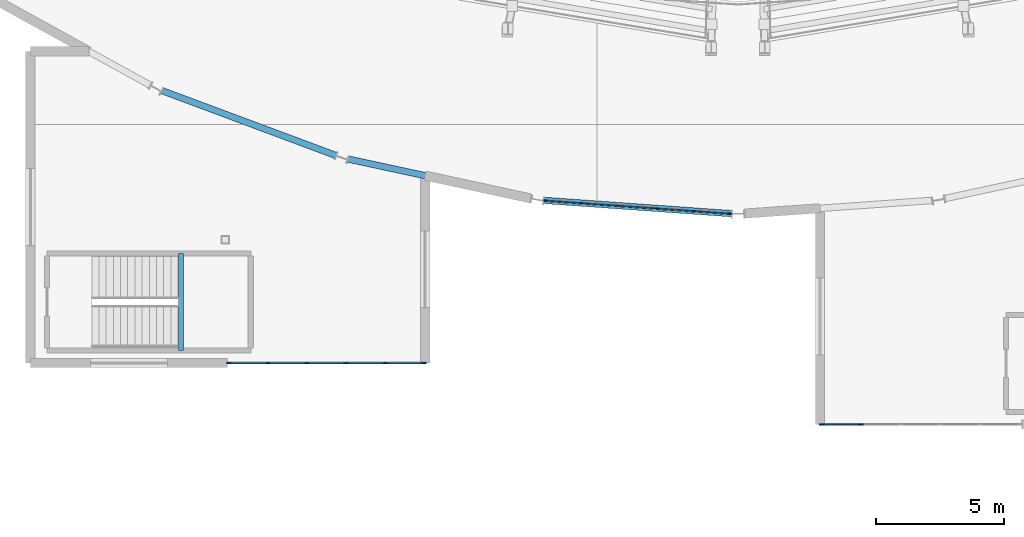
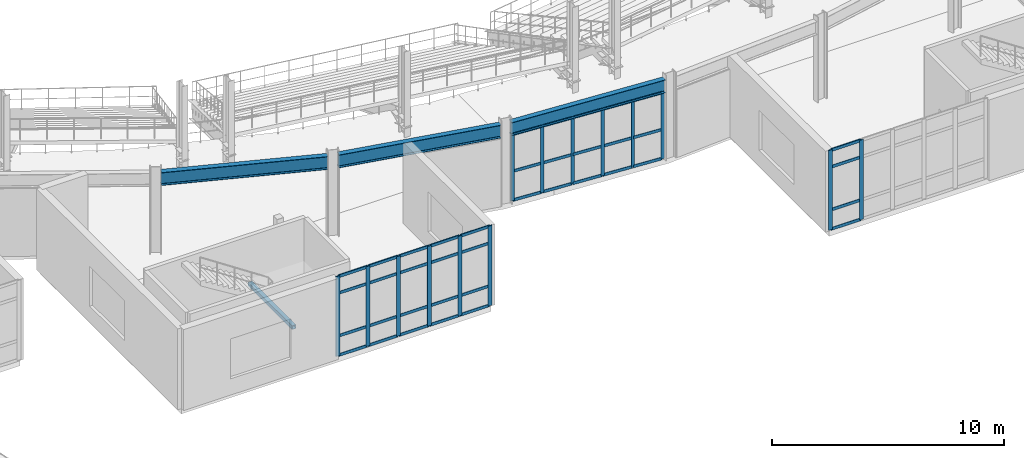
# One storey, part 23 of 81: 53 members, 4 beams, 3 elements without a shape of their own.
"""IFC4 building model written with IfcOpenShell, lengths in metres."""

from ifc_helpers import new_model, si_unit, direction, frame, origin, origin_2d, place, context, subcontext, project, spatial, rectangle, hollow_rectangle, i_section, extrude, material, material_profile, profile_set, type_object, element, aggregate, save


model = new_model("IFC4")

# Units and contexts
model_context = context("Model", 3, precision=1e-05, world=origin(), true_north=direction((0.0, 1.0)))
body_context = subcontext(model_context, "Body", "Model", "MODEL_VIEW")
ifc_project = project(units=[si_unit("LENGTHUNIT", "METRE"), si_unit("AREAUNIT", "SQUARE_METRE"), si_unit("VOLUMEUNIT", "CUBIC_METRE"), si_unit("PLANEANGLEUNIT", "RADIAN"), si_unit("MASSUNIT", "GRAM", prefix="KILO")], contexts=[model_context])

# Site, building, storey
site_placement = place(None, origin())
site = spatial("IfcSite", under=ifc_project, at=site_placement, CompositionType="ELEMENT")
building_placement = place(site_placement, origin())
building = spatial("IfcBuilding", under=site, at=building_placement, Name="Glasvene Arena", CompositionType="ELEMENT")
storey_placement = place(building_placement, frame((0.0, 0.0, 15.0)))
storey = spatial("IfcBuildingStorey", under=building, at=storey_placement, Name="L03", CompositionType="ELEMENT", Elevation=15.0)

# Beams
ifc_material_1 = material(Name="Steel S355J2", Category="steel")
ifc_material_profile_1 = material_profile(ifc_material_1, i_section(OverallWidth=0.253662109375, OverallDepth=0.68359375, WebThickness=0.012451171875, FlangeThickness=0.01904296875, FilletRadius=0.01513671875, at=origin_2d()), Name="UKB 686x254x140")
ifc_profile_set_1 = profile_set([ifc_material_profile_1], Name="Steel S355J2")
beam_type_1 = type_object("IfcBeamType", Name="BM-GIRD-686", PredefinedType="BEAM", material=ifc_profile_set_1)
beam_1_placement = place(storey_placement, frame((69.525390625, 32.82080078125, 3.908203125), z_axis=(0.937013245498, -0.349293827259, 0.0), x_axis=(0.349293827259, 0.937013245498, 0.0)))
element("IfcBeam", 1, at=beam_1_placement, inside=storey, type_object=beam_type_1, Name="Bowl ring chord beam L03-28", PredefinedType="BEAM", context=body_context, shape_type="SweptSolid", body=[
    extrude(i_section(OverallWidth=0.253662109375, OverallDepth=0.68359375, WebThickness=0.012451171875, FlangeThickness=0.01904296875, FilletRadius=0.01513671875, at=origin_2d()), origin(), (0.0, 0.0, 1.0), 7.255859375),
])
beam_2_placement = place(storey_placement, frame((76.78369140625, 30.15185546875, 3.908203125), z_axis=(0.97744150895, -0.211206289161, 0.0), x_axis=(0.211206289161, 0.97744150895, 0.0)))
element("IfcBeam", 2, at=beam_2_placement, inside=storey, type_object=beam_type_1, Name="Bowl ring chord beam L03-29", PredefinedType="BEAM", context=body_context, shape_type="SweptSolid", body=[
    extrude(i_section(OverallWidth=0.253662109375, OverallDepth=0.68359375, WebThickness=0.012451171875, FlangeThickness=0.01904296875, FilletRadius=0.01513671875, at=origin_2d()), origin(), (0.0, 0.0, 1.0), 7.3251953125),
])
beam_3_placement = place(storey_placement, frame((84.417724609375, 28.537109375, 3.908203125), z_axis=(0.997501616337, -0.070643650844, 0.0), x_axis=(0.070643650844, 0.997501616337, 0.0)))
element("IfcBeam", 3, at=beam_3_placement, inside=storey, type_object=beam_type_1, Name="Bowl ring chord beam L03-30", PredefinedType="BEAM", context=body_context, shape_type="SweptSolid", body=[
    extrude(i_section(OverallWidth=0.253662109375, OverallDepth=0.68359375, WebThickness=0.012451171875, FlangeThickness=0.01904296875, FilletRadius=0.01513671875, at=origin_2d()), origin(), (0.0, 0.0, 1.0), 7.361083984375),
])
ifc_material_profile_2 = material_profile(ifc_material_1, hollow_rectangle(XDim=0.199951171875, YDim=0.199951171875, WallThickness=0.010009765625, at=origin_2d()), Name="SHS 200x200x10.0")
ifc_profile_set_2 = profile_set([ifc_material_profile_2], Name="Steel S355J2")
beam_type_2 = type_object("IfcBeamType", Name="BM-LINTEL-200", PredefinedType="LINTEL", material=ifc_profile_set_2)
beam_4_placement = place(storey_placement, frame((70.280029296875, 22.679931640625, 1.929931640625), z_axis=(0.0, 1.0, 0.0), x_axis=(-1.0, 0.0, 0.0)))
element("IfcBeam", 4, at=beam_4_placement, inside=storey, type_object=beam_type_2, Name="Stair half-landing support beam ST-08-L03", PredefinedType="LINTEL", context=body_context, shape_type="SweptSolid", body=[
    extrude(hollow_rectangle(XDim=0.199951171875, YDim=0.199951171875, WallThickness=0.010009765625, at=origin_2d()), origin(), (0.0, 0.0, 1.0), 3.7900390625),
])

# Curtain wall, members
ifc_material_2 = material(Name="Low-emissivity laminated double glazing", Category="glass")
curtain_wall_type_1 = type_object("IfcCurtainWallType", Name="CW-FAC-L03-723x350", PredefinedType="USERDEFINED", material=ifc_material_2)
curtain_wall_1_placement = place(storey_placement, frame((91.696044921875, 28.021484375, 0.0)))
curtain_wall_1 = element("IfcCurtainWall", 5, at=curtain_wall_1_placement, inside=storey, type_object=curtain_wall_type_1, Name="Unitised curtain wall CW-F-L03-150-881-283-58", ObjectType="CURTAIN WALL", PredefinedType="USERDEFINED")
ifc_material_3 = material(Name="Anodised architectural aluminium", Category="aluminium")
ifc_material_profile_3 = material_profile(ifc_material_3, rectangle(XDim=0.050048828125, YDim=0.159912109375, at=origin_2d()), Name="ALU MULLION 50x160")
ifc_profile_set_3 = profile_set([ifc_material_profile_3], Name="Anodised architectural aluminium")
member_type_1 = type_object("IfcMemberType", Name="CW-MUL-150", PredefinedType="MULLION", material=ifc_profile_set_3)
member_1_placement = place(storey_placement, frame((91.671142578125, 28.023193359375, 0.06005859375), z_axis=(0.0, 0.0, 1.0), x_axis=(-0.070652459706, -0.997500992449, 0.0)))
member_1 = element("IfcMember", 6, at=member_1_placement, type_object=member_type_1, Name="CW-037 mullion 1", PredefinedType="MULLION", context=body_context, shape_type="SweptSolid", body=[
    extrude(rectangle(XDim=0.050048828125, YDim=0.159912109375, at=origin_2d()), origin(), (0.0, 0.0, 1.0), 3.501953125),
])
member_2_placement = place(storey_placement, frame((90.25341796875, 28.123779296875, 0.06005859375), z_axis=(0.0, 0.0, 1.0), x_axis=(-0.070652459706, -0.997500992449, 0.0)))
member_2 = element("IfcMember", 7, at=member_2_placement, type_object=member_type_1, Name="CW-037 mullion 2", PredefinedType="MULLION", context=body_context, shape_type="SweptSolid", body=[
    extrude(rectangle(XDim=0.050048828125, YDim=0.159912109375, at=origin_2d()), origin(), (0.0, 0.0, 1.0), 3.501953125),
])
member_3_placement = place(storey_placement, frame((88.810791015625, 28.225830078125, 0.06005859375), z_axis=(0.0, 0.0, 1.0), x_axis=(-0.070652459706, -0.997500992449, 0.0)))
member_3 = element("IfcMember", 8, at=member_3_placement, type_object=member_type_1, Name="CW-037 mullion 3", PredefinedType="MULLION", context=body_context, shape_type="SweptSolid", body=[
    extrude(rectangle(XDim=0.050048828125, YDim=0.159912109375, at=origin_2d()), origin(), (0.0, 0.0, 1.0), 3.501953125),
])
member_4_placement = place(storey_placement, frame((87.3681640625, 28.328125, 0.06005859375), z_axis=(0.0, 0.0, 1.0), x_axis=(-0.070652459706, -0.997500992449, 0.0)))
member_4 = element("IfcMember", 9, at=member_4_placement, type_object=member_type_1, Name="CW-037 mullion 4", PredefinedType="MULLION", context=body_context, shape_type="SweptSolid", body=[
    extrude(rectangle(XDim=0.050048828125, YDim=0.159912109375, at=origin_2d()), origin(), (0.0, 0.0, 1.0), 3.501953125),
])
member_5_placement = place(storey_placement, frame((85.925537109375, 28.43017578125, 0.06005859375), z_axis=(0.0, 0.0, 1.0), x_axis=(-0.070652459706, -0.997500992449, 0.0)))
member_5 = element("IfcMember", 10, at=member_5_placement, type_object=member_type_1, Name="CW-037 mullion 5", PredefinedType="MULLION", context=body_context, shape_type="SweptSolid", body=[
    extrude(rectangle(XDim=0.050048828125, YDim=0.159912109375, at=origin_2d()), origin(), (0.0, 0.0, 1.0), 3.501953125),
])
member_6_placement = place(storey_placement, frame((84.508056640625, 28.530517578125, 0.06005859375), z_axis=(0.0, 0.0, 1.0), x_axis=(-0.070652459706, -0.997500992449, 0.0)))
member_6 = element("IfcMember", 11, at=member_6_placement, type_object=member_type_1, Name="CW-037 mullion 6", PredefinedType="MULLION", context=body_context, shape_type="SweptSolid", body=[
    extrude(rectangle(XDim=0.050048828125, YDim=0.159912109375, at=origin_2d()), origin(), (0.0, 0.0, 1.0), 3.501953125),
])

curtain_wall_type_2 = type_object("IfcCurtainWallType", Name="CW-FAC-L03-777x419", PredefinedType="USERDEFINED", material=ifc_material_2)
curtain_wall_2_placement = place(storey_placement, frame((103.010009765625, 19.800048828125, 0.0)))
curtain_wall_2 = element("IfcCurtainWall", 12, at=curtain_wall_2_placement, inside=storey, type_object=curtain_wall_type_2, Name="Unitised curtain wall CW-F-L03-180-991-198-55", ObjectType="CURTAIN WALL", PredefinedType="USERDEFINED")
ifc_material_profile_4 = material_profile(ifc_material_3, rectangle(XDim=0.050048828125, YDim=0.199951171875, at=origin_2d()), Name="ALU MULLION 50x200")
ifc_profile_set_4 = profile_set([ifc_material_profile_4], Name="Anodised architectural aluminium")
member_type_2 = type_object("IfcMemberType", Name="CW-MUL-180", PredefinedType="MULLION", material=ifc_profile_set_4)
member_7_placement = place(storey_placement, frame((96.7939453125, 19.800048828125, 0.06005859375), z_axis=(0.0, 0.0, 1.0), x_axis=(0.0, -1.0, 0.0)))
member_7 = element("IfcMember", 13, at=member_7_placement, type_object=member_type_2, Name="CW-042 mullion 5", PredefinedType="MULLION", context=body_context, shape_type="SweptSolid", body=[
    extrude(rectangle(XDim=0.050048828125, YDim=0.199951171875, at=origin_2d()), origin(), (0.0, 0.0, 1.0), 4.18994140625),
])
member_8_placement = place(storey_placement, frame((95.264892578125, 19.800048828125, 0.06005859375), z_axis=(0.0, 0.0, 1.0), x_axis=(0.0, -1.0, 0.0)))
member_8 = element("IfcMember", 14, at=member_8_placement, type_object=member_type_2, Name="CW-042 mullion 6", PredefinedType="MULLION", context=body_context, shape_type="SweptSolid", body=[
    extrude(rectangle(XDim=0.050048828125, YDim=0.199951171875, at=origin_2d()), origin(), (0.0, 0.0, 1.0), 4.18994140625),
])

curtain_wall_type_3 = type_object("IfcCurtainWallType", Name="CW-FAC-L03-762x419", PredefinedType="USERDEFINED", material=ifc_material_2)
curtain_wall_3_placement = place(storey_placement, frame((79.760009765625, 22.199951171875, 0.0)))
curtain_wall_3 = element("IfcCurtainWall", 15, at=curtain_wall_3_placement, inside=storey, type_object=curtain_wall_type_3, Name="Unitised curtain wall CW-F-L03-180-759-222-61", ObjectType="CURTAIN WALL", PredefinedType="USERDEFINED")
member_9_placement = place(storey_placement, frame((79.735107421875, 22.199951171875, 0.06005859375), z_axis=(0.0, 0.0, 1.0), x_axis=(0.0, -1.0, 0.0)))
member_9 = element("IfcMember", 16, at=member_9_placement, type_object=member_type_2, Name="CW-043 mullion 1", PredefinedType="MULLION", context=body_context, shape_type="SweptSolid", body=[
    extrude(rectangle(XDim=0.050048828125, YDim=0.199951171875, at=origin_2d()), origin(), (0.0, 0.0, 1.0), 4.18994140625),
])
member_10_placement = place(storey_placement, frame((78.236083984375, 22.199951171875, 0.06005859375), z_axis=(0.0, 0.0, 1.0), x_axis=(0.0, -1.0, 0.0)))
member_10 = element("IfcMember", 17, at=member_10_placement, type_object=member_type_2, Name="CW-043 mullion 2", PredefinedType="MULLION", context=body_context, shape_type="SweptSolid", body=[
    extrude(rectangle(XDim=0.050048828125, YDim=0.199951171875, at=origin_2d()), origin(), (0.0, 0.0, 1.0), 4.18994140625),
])
member_11_placement = place(storey_placement, frame((76.7119140625, 22.199951171875, 0.06005859375), z_axis=(0.0, 0.0, 1.0), x_axis=(0.0, -1.0, 0.0)))
member_11 = element("IfcMember", 18, at=member_11_placement, type_object=member_type_2, Name="CW-043 mullion 3", PredefinedType="MULLION", context=body_context, shape_type="SweptSolid", body=[
    extrude(rectangle(XDim=0.050048828125, YDim=0.199951171875, at=origin_2d()), origin(), (0.0, 0.0, 1.0), 4.18994140625),
])
member_12_placement = place(storey_placement, frame((75.18798828125, 22.199951171875, 0.06005859375), z_axis=(0.0, 0.0, 1.0), x_axis=(0.0, -1.0, 0.0)))
member_12 = element("IfcMember", 19, at=member_12_placement, type_object=member_type_2, Name="CW-043 mullion 4", PredefinedType="MULLION", context=body_context, shape_type="SweptSolid", body=[
    extrude(rectangle(XDim=0.050048828125, YDim=0.199951171875, at=origin_2d()), origin(), (0.0, 0.0, 1.0), 4.18994140625),
])
member_13_placement = place(storey_placement, frame((73.6640625, 22.199951171875, 0.06005859375), z_axis=(0.0, 0.0, 1.0), x_axis=(0.0, -1.0, 0.0)))
member_13 = element("IfcMember", 20, at=member_13_placement, type_object=member_type_2, Name="CW-043 mullion 5", PredefinedType="MULLION", context=body_context, shape_type="SweptSolid", body=[
    extrude(rectangle(XDim=0.050048828125, YDim=0.199951171875, at=origin_2d()), origin(), (0.0, 0.0, 1.0), 4.18994140625),
])
member_14_placement = place(storey_placement, frame((72.1650390625, 22.199951171875, 0.06005859375), z_axis=(0.0, 0.0, 1.0), x_axis=(0.0, -1.0, 0.0)))
member_14 = element("IfcMember", 21, at=member_14_placement, type_object=member_type_2, Name="CW-043 mullion 6", PredefinedType="MULLION", context=body_context, shape_type="SweptSolid", body=[
    extrude(rectangle(XDim=0.050048828125, YDim=0.199951171875, at=origin_2d()), origin(), (0.0, 0.0, 1.0), 4.18994140625),
])

# Member
ifc_material_profile_5 = material_profile(ifc_material_3, rectangle(XDim=0.050048828125, YDim=0.14990234375, at=origin_2d()), Name="ALU TRANSOM 50x150")
ifc_profile_set_5 = profile_set([ifc_material_profile_5], Name="Anodised architectural aluminium")
member_type_3 = type_object("IfcMemberType", Name="CW-TRN-150", PredefinedType="USERDEFINED", material=ifc_profile_set_5)
member_15_placement = place(storey_placement, frame((96.76904296875, 19.800048828125, 0.0849609375), z_axis=(-1.0, 0.0, 0.0), x_axis=(0.0, -1.0, 0.0)))
member_15 = element("IfcMember", 22, at=member_15_placement, type_object=member_type_3, Name="CW-042 transom 5.1", ObjectType="TRANSOM", PredefinedType="USERDEFINED", context=body_context, shape_type="SweptSolid", body=[
    extrude(rectangle(XDim=0.050048828125, YDim=0.14990234375, at=origin_2d()), origin(), (0.0, 0.0, 1.0), 1.47900390625),
])

member_16_placement = place(storey_placement, frame((96.76904296875, 19.800048828125, 1.10009765625), z_axis=(-1.0, 0.0, 0.0), x_axis=(0.0, -1.0, 0.0)))
member_16 = element("IfcMember", 23, at=member_16_placement, type_object=member_type_3, Name="CW-042 transom 5.2", ObjectType="TRANSOM", PredefinedType="USERDEFINED", context=body_context, shape_type="SweptSolid", body=[
    extrude(rectangle(XDim=0.050048828125, YDim=0.14990234375, at=origin_2d()), origin(), (0.0, 0.0, 1.0), 1.47900390625),
])

member_17_placement = place(storey_placement, frame((96.76904296875, 19.800048828125, 3.35009765625), z_axis=(-1.0, 0.0, 0.0), x_axis=(0.0, -1.0, 0.0)))
member_17 = element("IfcMember", 24, at=member_17_placement, type_object=member_type_3, Name="CW-042 transom 5.3", ObjectType="TRANSOM", PredefinedType="USERDEFINED", context=body_context, shape_type="SweptSolid", body=[
    extrude(rectangle(XDim=0.050048828125, YDim=0.14990234375, at=origin_2d()), origin(), (0.0, 0.0, 1.0), 1.47900390625),
])

member_18_placement = place(storey_placement, frame((96.76904296875, 19.800048828125, 4.22509765625), z_axis=(-1.0, 0.0, 0.0), x_axis=(0.0, -1.0, 0.0)))
member_18 = element("IfcMember", 25, at=member_18_placement, type_object=member_type_3, Name="CW-042 transom 5.4", ObjectType="TRANSOM", PredefinedType="USERDEFINED", context=body_context, shape_type="SweptSolid", body=[
    extrude(rectangle(XDim=0.050048828125, YDim=0.14990234375, at=origin_2d()), origin(), (0.0, 0.0, 1.0), 1.47900390625),
])

aggregate(curtain_wall_2, [member_7, member_8, member_15, member_16, member_17, member_18])

member_19_placement = place(storey_placement, frame((91.646240234375, 28.025146484375, 0.0849609375), z_axis=(-0.997511739659, 0.070500562003, 0.0), x_axis=(-0.070500562003, -0.997511739659, 0.0)))
member_19 = element("IfcMember", 26, at=member_19_placement, type_object=member_type_3, Name="CW-037 transom 1.1", ObjectType="TRANSOM", PredefinedType="USERDEFINED", context=body_context, shape_type="SweptSolid", body=[
    extrude(rectangle(XDim=0.050048828125, YDim=0.14990234375, at=origin_2d()), origin(), (0.0, 0.0, 1.0), 1.371337890625),
])

member_20_placement = place(storey_placement, frame((91.646240234375, 28.025146484375, 1.60302734375), z_axis=(-0.997511739659, 0.070500562003, 0.0), x_axis=(-0.070500562003, -0.997511739659, 0.0)))
member_20 = element("IfcMember", 27, at=member_20_placement, type_object=member_type_3, Name="CW-037 transom 1.2", ObjectType="TRANSOM", PredefinedType="USERDEFINED", context=body_context, shape_type="SweptSolid", body=[
    extrude(rectangle(XDim=0.050048828125, YDim=0.14990234375, at=origin_2d()), origin(), (0.0, 0.0, 1.0), 1.371337890625),
])

member_21_placement = place(storey_placement, frame((91.646240234375, 28.025146484375, 3.537109375), z_axis=(-0.997511739659, 0.070500562003, 0.0), x_axis=(-0.070500562003, -0.997511739659, 0.0)))
member_21 = element("IfcMember", 28, at=member_21_placement, type_object=member_type_3, Name="CW-037 transom 1.3", ObjectType="TRANSOM", PredefinedType="USERDEFINED", context=body_context, shape_type="SweptSolid", body=[
    extrude(rectangle(XDim=0.050048828125, YDim=0.14990234375, at=origin_2d()), origin(), (0.0, 0.0, 1.0), 1.371337890625),
])

member_22_placement = place(storey_placement, frame((90.228515625, 28.12548828125, 0.0849609375), z_axis=(-0.997502003862, 0.070638178713, 0.0), x_axis=(-0.070638178713, -0.997502003862, 0.0)))
member_22 = element("IfcMember", 29, at=member_22_placement, type_object=member_type_3, Name="CW-037 transom 2.1", ObjectType="TRANSOM", PredefinedType="USERDEFINED", context=body_context, shape_type="SweptSolid", body=[
    extrude(rectangle(XDim=0.050048828125, YDim=0.14990234375, at=origin_2d()), origin(), (0.0, 0.0, 1.0), 1.396240234375),
])

member_23_placement = place(storey_placement, frame((90.228515625, 28.12548828125, 1.60302734375), z_axis=(-0.997502003862, 0.070638178713, 0.0), x_axis=(-0.070638178713, -0.997502003862, 0.0)))
member_23 = element("IfcMember", 30, at=member_23_placement, type_object=member_type_3, Name="CW-037 transom 2.2", ObjectType="TRANSOM", PredefinedType="USERDEFINED", context=body_context, shape_type="SweptSolid", body=[
    extrude(rectangle(XDim=0.050048828125, YDim=0.14990234375, at=origin_2d()), origin(), (0.0, 0.0, 1.0), 1.396240234375),
])

member_24_placement = place(storey_placement, frame((90.228515625, 28.12548828125, 3.537109375), z_axis=(-0.997502003862, 0.070638178713, 0.0), x_axis=(-0.070638178713, -0.997502003862, 0.0)))
member_24 = element("IfcMember", 31, at=member_24_placement, type_object=member_type_3, Name="CW-037 transom 2.3", ObjectType="TRANSOM", PredefinedType="USERDEFINED", context=body_context, shape_type="SweptSolid", body=[
    extrude(rectangle(XDim=0.050048828125, YDim=0.14990234375, at=origin_2d()), origin(), (0.0, 0.0, 1.0), 1.396240234375),
])

member_25_placement = place(storey_placement, frame((88.785888671875, 28.2275390625, 0.0849609375), z_axis=(-0.997502003862, 0.070638178713, 0.0), x_axis=(-0.070638178713, -0.997502003862, 0.0)))
member_25 = element("IfcMember", 32, at=member_25_placement, type_object=member_type_3, Name="CW-037 transom 3.1", ObjectType="TRANSOM", PredefinedType="USERDEFINED", context=body_context, shape_type="SweptSolid", body=[
    extrude(rectangle(XDim=0.050048828125, YDim=0.14990234375, at=origin_2d()), origin(), (0.0, 0.0, 1.0), 1.396240234375),
])

member_26_placement = place(storey_placement, frame((88.785888671875, 28.2275390625, 1.60302734375), z_axis=(-0.997502003862, 0.070638178713, 0.0), x_axis=(-0.070638178713, -0.997502003862, 0.0)))
member_26 = element("IfcMember", 33, at=member_26_placement, type_object=member_type_3, Name="CW-037 transom 3.2", ObjectType="TRANSOM", PredefinedType="USERDEFINED", context=body_context, shape_type="SweptSolid", body=[
    extrude(rectangle(XDim=0.050048828125, YDim=0.14990234375, at=origin_2d()), origin(), (0.0, 0.0, 1.0), 1.396240234375),
])

member_27_placement = place(storey_placement, frame((88.785888671875, 28.2275390625, 3.537109375), z_axis=(-0.997502003862, 0.070638178713, 0.0), x_axis=(-0.070638178713, -0.997502003862, 0.0)))
member_27 = element("IfcMember", 34, at=member_27_placement, type_object=member_type_3, Name="CW-037 transom 3.3", ObjectType="TRANSOM", PredefinedType="USERDEFINED", context=body_context, shape_type="SweptSolid", body=[
    extrude(rectangle(XDim=0.050048828125, YDim=0.14990234375, at=origin_2d()), origin(), (0.0, 0.0, 1.0), 1.396240234375),
])

member_28_placement = place(storey_placement, frame((87.34326171875, 28.329833984375, 0.0849609375), z_axis=(-0.997502003862, 0.070638178713, 0.0), x_axis=(-0.070638178713, -0.997502003862, 0.0)))
member_28 = element("IfcMember", 35, at=member_28_placement, type_object=member_type_3, Name="CW-037 transom 4.1", ObjectType="TRANSOM", PredefinedType="USERDEFINED", context=body_context, shape_type="SweptSolid", body=[
    extrude(rectangle(XDim=0.050048828125, YDim=0.14990234375, at=origin_2d()), origin(), (0.0, 0.0, 1.0), 1.396240234375),
])

member_29_placement = place(storey_placement, frame((87.34326171875, 28.329833984375, 1.60302734375), z_axis=(-0.997502003862, 0.070638178713, 0.0), x_axis=(-0.070638178713, -0.997502003862, 0.0)))
member_29 = element("IfcMember", 36, at=member_29_placement, type_object=member_type_3, Name="CW-037 transom 4.2", ObjectType="TRANSOM", PredefinedType="USERDEFINED", context=body_context, shape_type="SweptSolid", body=[
    extrude(rectangle(XDim=0.050048828125, YDim=0.14990234375, at=origin_2d()), origin(), (0.0, 0.0, 1.0), 1.396240234375),
])

member_30_placement = place(storey_placement, frame((87.34326171875, 28.329833984375, 3.537109375), z_axis=(-0.997502003862, 0.070638178713, 0.0), x_axis=(-0.070638178713, -0.997502003862, 0.0)))
member_30 = element("IfcMember", 37, at=member_30_placement, type_object=member_type_3, Name="CW-037 transom 4.3", ObjectType="TRANSOM", PredefinedType="USERDEFINED", context=body_context, shape_type="SweptSolid", body=[
    extrude(rectangle(XDim=0.050048828125, YDim=0.14990234375, at=origin_2d()), origin(), (0.0, 0.0, 1.0), 1.396240234375),
])

member_31_placement = place(storey_placement, frame((85.900634765625, 28.431884765625, 0.0849609375), z_axis=(-0.997498314427, 0.070690258984, 0.0), x_axis=(-0.070690258984, -0.997498314427, 0.0)))
member_31 = element("IfcMember", 38, at=member_31_placement, type_object=member_type_3, Name="CW-037 transom 5.1", ObjectType="TRANSOM", PredefinedType="USERDEFINED", context=body_context, shape_type="SweptSolid", body=[
    extrude(rectangle(XDim=0.050048828125, YDim=0.14990234375, at=origin_2d()), origin(), (0.0, 0.0, 1.0), 1.37109375),
])

member_32_placement = place(storey_placement, frame((85.900634765625, 28.431884765625, 1.60302734375), z_axis=(-0.997498314427, 0.070690258984, 0.0), x_axis=(-0.070690258984, -0.997498314427, 0.0)))
member_32 = element("IfcMember", 39, at=member_32_placement, type_object=member_type_3, Name="CW-037 transom 5.2", ObjectType="TRANSOM", PredefinedType="USERDEFINED", context=body_context, shape_type="SweptSolid", body=[
    extrude(rectangle(XDim=0.050048828125, YDim=0.14990234375, at=origin_2d()), origin(), (0.0, 0.0, 1.0), 1.37109375),
])

member_33_placement = place(storey_placement, frame((85.900634765625, 28.431884765625, 3.537109375), z_axis=(-0.997498314427, 0.070690258984, 0.0), x_axis=(-0.070690258984, -0.997498314427, 0.0)))
member_33 = element("IfcMember", 40, at=member_33_placement, type_object=member_type_3, Name="CW-037 transom 5.3", ObjectType="TRANSOM", PredefinedType="USERDEFINED", context=body_context, shape_type="SweptSolid", body=[
    extrude(rectangle(XDim=0.050048828125, YDim=0.14990234375, at=origin_2d()), origin(), (0.0, 0.0, 1.0), 1.37109375),
])

aggregate(curtain_wall_1, [member_1, member_2, member_3, member_4, member_5, member_6, member_19, member_20, member_21, member_22, member_23, member_24, member_25, member_26, member_27, member_28, member_29, member_30, member_31, member_32, member_33])

member_34_placement = place(storey_placement, frame((79.7099609375, 22.199951171875, 0.0849609375), z_axis=(-1.0, 0.0, 0.0), x_axis=(0.0, -1.0, 0.0)))
member_34 = element("IfcMember", 41, at=member_34_placement, type_object=member_type_3, Name="CW-043 transom 1.1", ObjectType="TRANSOM", PredefinedType="USERDEFINED", context=body_context, shape_type="SweptSolid", body=[
    extrude(rectangle(XDim=0.050048828125, YDim=0.14990234375, at=origin_2d()), origin(), (0.0, 0.0, 1.0), 1.448974609375),
])

member_35_placement = place(storey_placement, frame((79.7099609375, 22.199951171875, 1.10009765625), z_axis=(-1.0, 0.0, 0.0), x_axis=(0.0, -1.0, 0.0)))
member_35 = element("IfcMember", 42, at=member_35_placement, type_object=member_type_3, Name="CW-043 transom 1.2", ObjectType="TRANSOM", PredefinedType="USERDEFINED", context=body_context, shape_type="SweptSolid", body=[
    extrude(rectangle(XDim=0.050048828125, YDim=0.14990234375, at=origin_2d()), origin(), (0.0, 0.0, 1.0), 1.448974609375),
])

member_36_placement = place(storey_placement, frame((79.7099609375, 22.199951171875, 3.35009765625), z_axis=(-1.0, 0.0, 0.0), x_axis=(0.0, -1.0, 0.0)))
member_36 = element("IfcMember", 43, at=member_36_placement, type_object=member_type_3, Name="CW-043 transom 1.3", ObjectType="TRANSOM", PredefinedType="USERDEFINED", context=body_context, shape_type="SweptSolid", body=[
    extrude(rectangle(XDim=0.050048828125, YDim=0.14990234375, at=origin_2d()), origin(), (0.0, 0.0, 1.0), 1.448974609375),
])

member_37_placement = place(storey_placement, frame((79.7099609375, 22.199951171875, 4.22509765625), z_axis=(-1.0, 0.0, 0.0), x_axis=(0.0, -1.0, 0.0)))
member_37 = element("IfcMember", 44, at=member_37_placement, type_object=member_type_3, Name="CW-043 transom 1.4", ObjectType="TRANSOM", PredefinedType="USERDEFINED", context=body_context, shape_type="SweptSolid", body=[
    extrude(rectangle(XDim=0.050048828125, YDim=0.14990234375, at=origin_2d()), origin(), (0.0, 0.0, 1.0), 1.448974609375),
])

member_38_placement = place(storey_placement, frame((78.2109375, 22.199951171875, 0.0849609375), z_axis=(-1.0, 0.0, 0.0), x_axis=(0.0, -1.0, 0.0)))
member_38 = element("IfcMember", 45, at=member_38_placement, type_object=member_type_3, Name="CW-043 transom 2.1", ObjectType="TRANSOM", PredefinedType="USERDEFINED", context=body_context, shape_type="SweptSolid", body=[
    extrude(rectangle(XDim=0.050048828125, YDim=0.14990234375, at=origin_2d()), origin(), (0.0, 0.0, 1.0), 1.473876953125),
])

member_39_placement = place(storey_placement, frame((78.2109375, 22.199951171875, 1.10009765625), z_axis=(-1.0, 0.0, 0.0), x_axis=(0.0, -1.0, 0.0)))
member_39 = element("IfcMember", 46, at=member_39_placement, type_object=member_type_3, Name="CW-043 transom 2.2", ObjectType="TRANSOM", PredefinedType="USERDEFINED", context=body_context, shape_type="SweptSolid", body=[
    extrude(rectangle(XDim=0.050048828125, YDim=0.14990234375, at=origin_2d()), origin(), (0.0, 0.0, 1.0), 1.473876953125),
])

member_40_placement = place(storey_placement, frame((78.2109375, 22.199951171875, 3.35009765625), z_axis=(-1.0, 0.0, 0.0), x_axis=(0.0, -1.0, 0.0)))
member_40 = element("IfcMember", 47, at=member_40_placement, type_object=member_type_3, Name="CW-043 transom 2.3", ObjectType="TRANSOM", PredefinedType="USERDEFINED", context=body_context, shape_type="SweptSolid", body=[
    extrude(rectangle(XDim=0.050048828125, YDim=0.14990234375, at=origin_2d()), origin(), (0.0, 0.0, 1.0), 1.473876953125),
])

member_41_placement = place(storey_placement, frame((78.2109375, 22.199951171875, 4.22509765625), z_axis=(-1.0, 0.0, 0.0), x_axis=(0.0, -1.0, 0.0)))
member_41 = element("IfcMember", 48, at=member_41_placement, type_object=member_type_3, Name="CW-043 transom 2.4", ObjectType="TRANSOM", PredefinedType="USERDEFINED", context=body_context, shape_type="SweptSolid", body=[
    extrude(rectangle(XDim=0.050048828125, YDim=0.14990234375, at=origin_2d()), origin(), (0.0, 0.0, 1.0), 1.473876953125),
])

member_42_placement = place(storey_placement, frame((76.68701171875, 22.199951171875, 0.0849609375), z_axis=(-1.0, 0.0, 0.0), x_axis=(0.0, -1.0, 0.0)))
member_42 = element("IfcMember", 49, at=member_42_placement, type_object=member_type_3, Name="CW-043 transom 3.1", ObjectType="TRANSOM", PredefinedType="USERDEFINED", context=body_context, shape_type="SweptSolid", body=[
    extrude(rectangle(XDim=0.050048828125, YDim=0.14990234375, at=origin_2d()), origin(), (0.0, 0.0, 1.0), 1.47412109375),
])

member_43_placement = place(storey_placement, frame((76.68701171875, 22.199951171875, 1.10009765625), z_axis=(-1.0, 0.0, 0.0), x_axis=(0.0, -1.0, 0.0)))
member_43 = element("IfcMember", 50, at=member_43_placement, type_object=member_type_3, Name="CW-043 transom 3.2", ObjectType="TRANSOM", PredefinedType="USERDEFINED", context=body_context, shape_type="SweptSolid", body=[
    extrude(rectangle(XDim=0.050048828125, YDim=0.14990234375, at=origin_2d()), origin(), (0.0, 0.0, 1.0), 1.47412109375),
])

member_44_placement = place(storey_placement, frame((76.68701171875, 22.199951171875, 3.35009765625), z_axis=(-1.0, 0.0, 0.0), x_axis=(0.0, -1.0, 0.0)))
member_44 = element("IfcMember", 51, at=member_44_placement, type_object=member_type_3, Name="CW-043 transom 3.3", ObjectType="TRANSOM", PredefinedType="USERDEFINED", context=body_context, shape_type="SweptSolid", body=[
    extrude(rectangle(XDim=0.050048828125, YDim=0.14990234375, at=origin_2d()), origin(), (0.0, 0.0, 1.0), 1.47412109375),
])

member_45_placement = place(storey_placement, frame((76.68701171875, 22.199951171875, 4.22509765625), z_axis=(-1.0, 0.0, 0.0), x_axis=(0.0, -1.0, 0.0)))
member_45 = element("IfcMember", 52, at=member_45_placement, type_object=member_type_3, Name="CW-043 transom 3.4", ObjectType="TRANSOM", PredefinedType="USERDEFINED", context=body_context, shape_type="SweptSolid", body=[
    extrude(rectangle(XDim=0.050048828125, YDim=0.14990234375, at=origin_2d()), origin(), (0.0, 0.0, 1.0), 1.47412109375),
])

member_46_placement = place(storey_placement, frame((75.1630859375, 22.199951171875, 0.0849609375), z_axis=(-1.0, 0.0, 0.0), x_axis=(0.0, -1.0, 0.0)))
member_46 = element("IfcMember", 53, at=member_46_placement, type_object=member_type_3, Name="CW-043 transom 4.1", ObjectType="TRANSOM", PredefinedType="USERDEFINED", context=body_context, shape_type="SweptSolid", body=[
    extrude(rectangle(XDim=0.050048828125, YDim=0.14990234375, at=origin_2d()), origin(), (0.0, 0.0, 1.0), 1.47412109375),
])

member_47_placement = place(storey_placement, frame((75.1630859375, 22.199951171875, 1.10009765625), z_axis=(-1.0, 0.0, 0.0), x_axis=(0.0, -1.0, 0.0)))
member_47 = element("IfcMember", 54, at=member_47_placement, type_object=member_type_3, Name="CW-043 transom 4.2", ObjectType="TRANSOM", PredefinedType="USERDEFINED", context=body_context, shape_type="SweptSolid", body=[
    extrude(rectangle(XDim=0.050048828125, YDim=0.14990234375, at=origin_2d()), origin(), (0.0, 0.0, 1.0), 1.47412109375),
])

member_48_placement = place(storey_placement, frame((75.1630859375, 22.199951171875, 3.35009765625), z_axis=(-1.0, 0.0, 0.0), x_axis=(0.0, -1.0, 0.0)))
member_48 = element("IfcMember", 55, at=member_48_placement, type_object=member_type_3, Name="CW-043 transom 4.3", ObjectType="TRANSOM", PredefinedType="USERDEFINED", context=body_context, shape_type="SweptSolid", body=[
    extrude(rectangle(XDim=0.050048828125, YDim=0.14990234375, at=origin_2d()), origin(), (0.0, 0.0, 1.0), 1.47412109375),
])

member_49_placement = place(storey_placement, frame((75.1630859375, 22.199951171875, 4.22509765625), z_axis=(-1.0, 0.0, 0.0), x_axis=(0.0, -1.0, 0.0)))
member_49 = element("IfcMember", 56, at=member_49_placement, type_object=member_type_3, Name="CW-043 transom 4.4", ObjectType="TRANSOM", PredefinedType="USERDEFINED", context=body_context, shape_type="SweptSolid", body=[
    extrude(rectangle(XDim=0.050048828125, YDim=0.14990234375, at=origin_2d()), origin(), (0.0, 0.0, 1.0), 1.47412109375),
])

member_50_placement = place(storey_placement, frame((73.638916015625, 22.199951171875, 0.0849609375), z_axis=(-1.0, 0.0, 0.0), x_axis=(0.0, -1.0, 0.0)))
member_50 = element("IfcMember", 57, at=member_50_placement, type_object=member_type_3, Name="CW-043 transom 5.1", ObjectType="TRANSOM", PredefinedType="USERDEFINED", context=body_context, shape_type="SweptSolid", body=[
    extrude(rectangle(XDim=0.050048828125, YDim=0.14990234375, at=origin_2d()), origin(), (0.0, 0.0, 1.0), 1.448974609375),
])

member_51_placement = place(storey_placement, frame((73.638916015625, 22.199951171875, 1.10009765625), z_axis=(-1.0, 0.0, 0.0), x_axis=(0.0, -1.0, 0.0)))
member_51 = element("IfcMember", 58, at=member_51_placement, type_object=member_type_3, Name="CW-043 transom 5.2", ObjectType="TRANSOM", PredefinedType="USERDEFINED", context=body_context, shape_type="SweptSolid", body=[
    extrude(rectangle(XDim=0.050048828125, YDim=0.14990234375, at=origin_2d()), origin(), (0.0, 0.0, 1.0), 1.448974609375),
])

member_52_placement = place(storey_placement, frame((73.638916015625, 22.199951171875, 3.35009765625), z_axis=(-1.0, 0.0, 0.0), x_axis=(0.0, -1.0, 0.0)))
member_52 = element("IfcMember", 59, at=member_52_placement, type_object=member_type_3, Name="CW-043 transom 5.3", ObjectType="TRANSOM", PredefinedType="USERDEFINED", context=body_context, shape_type="SweptSolid", body=[
    extrude(rectangle(XDim=0.050048828125, YDim=0.14990234375, at=origin_2d()), origin(), (0.0, 0.0, 1.0), 1.448974609375),
])

member_53_placement = place(storey_placement, frame((73.638916015625, 22.199951171875, 4.22509765625), z_axis=(-1.0, 0.0, 0.0), x_axis=(0.0, -1.0, 0.0)))
member_53 = element("IfcMember", 60, at=member_53_placement, type_object=member_type_3, Name="CW-043 transom 5.4", ObjectType="TRANSOM", PredefinedType="USERDEFINED", context=body_context, shape_type="SweptSolid", body=[
    extrude(rectangle(XDim=0.050048828125, YDim=0.14990234375, at=origin_2d()), origin(), (0.0, 0.0, 1.0), 1.448974609375),
])

aggregate(curtain_wall_3, [member_9, member_10, member_11, member_12, member_13, member_14, member_34, member_35, member_36, member_37, member_38, member_39, member_40, member_41, member_42, member_43, member_44, member_45, member_46, member_47, member_48, member_49, member_50, member_51, member_52, member_53])

save(model, "model.ifc")
